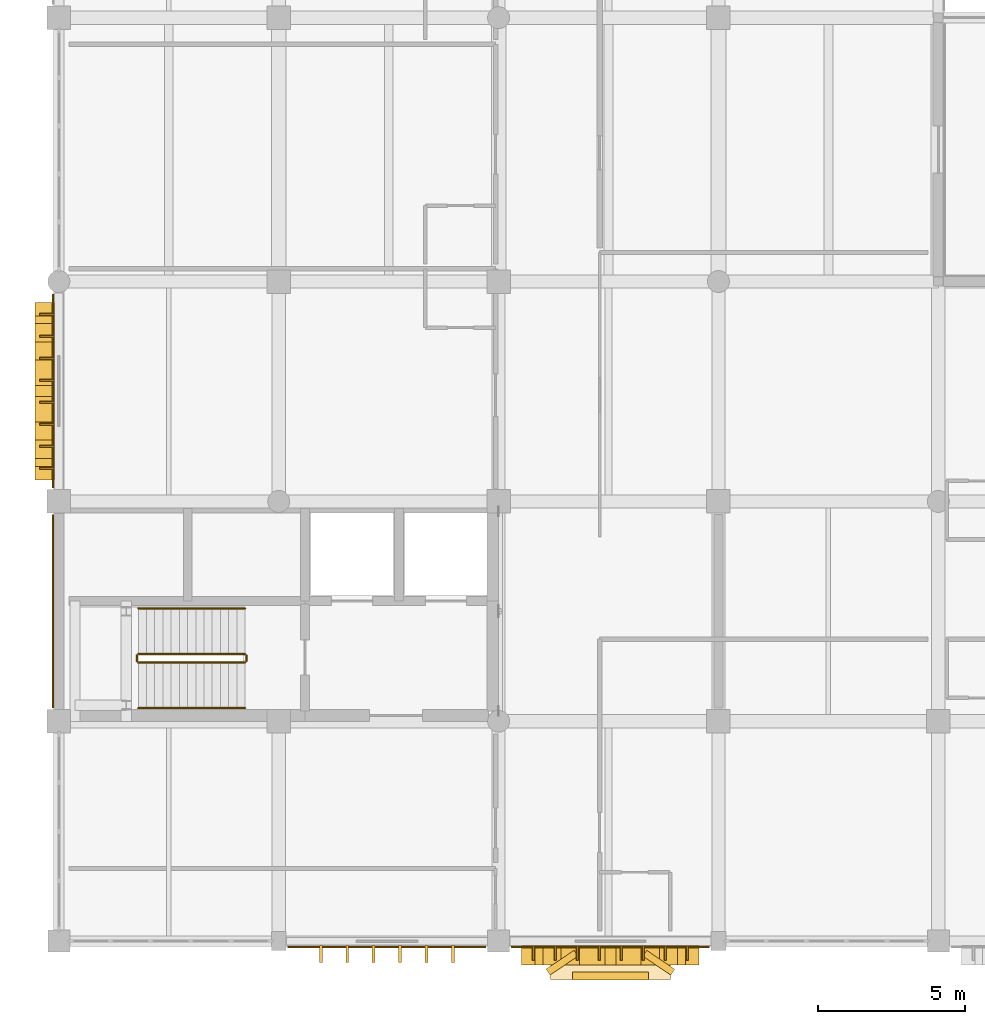
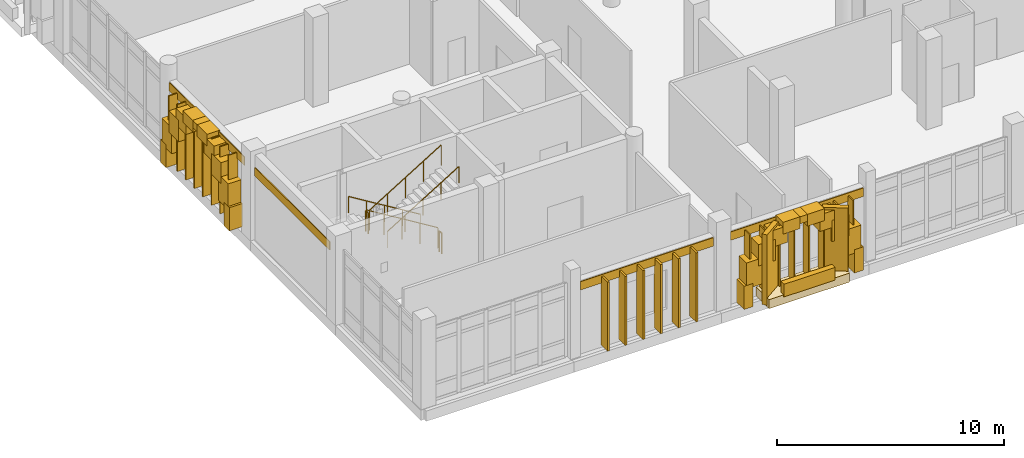
# One storey, part 112 of 131: 36 coverings, 16 shading devices, 6 railings.
"""IFC4 building model written with IfcOpenShell, lengths in metres."""

from ifc_helpers import new_model, si_unit, direction, frame, origin, origin_2d, place, context, subcontext, project, spatial, rectangle, circle, extrude, material, layer, layer_set, type_object, element, save


model = new_model("IFC4")

# Units and contexts
model_context = context("Model", 3, precision=1e-05, world=origin(), true_north=direction((0.0, 1.0)))
body_context = subcontext(model_context, "Body", "Model", "MODEL_VIEW")
ifc_project = project(units=[si_unit("LENGTHUNIT", "METRE"), si_unit("AREAUNIT", "SQUARE_METRE"), si_unit("VOLUMEUNIT", "CUBIC_METRE"), si_unit("PLANEANGLEUNIT", "RADIAN"), si_unit("MASSUNIT", "GRAM", prefix="KILO")], contexts=[model_context])

# Site, building, storey
site_placement = place(None, origin())
site = spatial("IfcSite", under=ifc_project, at=site_placement, CompositionType="ELEMENT")
building_placement = place(site_placement, origin())
building = spatial("IfcBuilding", under=site, at=building_placement, Name="Dalvernix Boulevard General Hospital", CompositionType="ELEMENT")
storey_placement = place(building_placement, frame((0.0, 0.0, 9.300048828125)))
storey = spatial("IfcBuildingStorey", under=building, at=storey_placement, Name="L02", CompositionType="ELEMENT", Elevation=9.300048828125)

# Coverings
ifc_material_1 = material(Name="Pressed Catalan clay brick and dressed limestone parabolic archivolt", Category="masonry")
ifc_layer_1 = layer(ifc_material_1, 0.419921875)
ifc_layer_set_1 = layer_set([ifc_layer_1], Name="Pressed Catalan clay brick and dressed limestone parabolic archivolt (COV-ARC-01)")
covering_type_1 = type_object("IfcCoveringType", Name="COV-ARC-01", PredefinedType="CLADDING", material=ifc_layer_set_1)
for number, where, z_axis, x_axis, name in (
    (1, (-0.485107421875, 15.96240234375, 0.0), (0.0, 0.0, 1.0), (0.0, 1.0, 0.0), "L02 Catalan parabolic arch impost pier W 0-2-L"),
    (2, (-0.485107421875, 21.5625, 0.0), (0.0, 0.0, 1.0), (0.0, 1.0, 0.0), "L02 Catalan parabolic arch impost pier W 0-2-R"),
):
    element("IfcCovering", number, at=place(storey_placement, frame(where, z_axis=z_axis, x_axis=x_axis)), inside=storey, type_object=covering_type_1, Name=name, PredefinedType="CLADDING", context=body_context, shape_type="SweptSolid", body=[
        extrude(rectangle(XDim=0.4599609375, YDim=0.659912109375, at=origin_2d()), origin(), (0.0, 0.0, 1.0), 1.25),
    ])
covering_1_placement = place(storey_placement, frame((-0.485107421875, 16.273681640625, 1.059814453125), z_axis=(0.0, 0.0, 1.0), x_axis=(0.0, 1.0, 0.0)))
element("IfcCovering", 3, at=covering_1_placement, inside=storey, type_object=covering_type_1, Name="L02 Catalan parabolic archivolt voussoir W 0-2-1", PredefinedType="CLADDING", context=body_context, shape_type="SweptSolid", body=[
    extrude(rectangle(XDim=0.8623046875, YDim=0.659912109375, at=origin_2d()), origin(), (0.0, 0.0, 1.0), 1.3994140625),
])
covering_2_placement = place(storey_placement, frame((-0.485107421875, 16.895751953125, 2.0791015625), z_axis=(0.0, 0.0, 1.0), x_axis=(0.0, 1.0, 0.0)))
element("IfcCovering", 4, at=covering_2_placement, inside=storey, type_object=covering_type_1, Name="L02 Catalan parabolic archivolt voussoir W 0-2-2", PredefinedType="CLADDING", context=body_context, shape_type="SweptSolid", body=[
    extrude(rectangle(XDim=0.8623046875, YDim=0.659912109375, at=origin_2d()), origin(), (0.0, 0.0, 1.0), 1.144287109375),
])
covering_3_placement = place(storey_placement, frame((-0.485107421875, 17.51806640625, 2.843505859375), z_axis=(0.0, 0.0, 1.0), x_axis=(0.0, 1.0, 0.0)))
element("IfcCovering", 5, at=covering_3_placement, inside=storey, type_object=covering_type_1, Name="L02 Catalan parabolic archivolt voussoir W 0-2-3", PredefinedType="CLADDING", context=body_context, shape_type="SweptSolid", body=[
    extrude(rectangle(XDim=0.8623046875, YDim=0.659912109375, at=origin_2d()), origin(), (0.0, 0.0, 1.0), 0.8896484375),
])
covering_4_placement = place(storey_placement, frame((-0.485107421875, 18.140380859375, 3.353271484375), z_axis=(0.0, 0.0, 1.0), x_axis=(0.0, 1.0, 0.0)))
element("IfcCovering", 6, at=covering_4_placement, inside=storey, type_object=covering_type_1, Name="L02 Catalan parabolic archivolt voussoir W 0-2-4", PredefinedType="CLADDING", context=body_context, shape_type="SweptSolid", body=[
    extrude(rectangle(XDim=0.8623046875, YDim=0.659912109375, at=origin_2d()), origin(), (0.0, 0.0, 1.0), 0.634765625),
])
covering_5_placement = place(storey_placement, frame((-0.485107421875, 18.762451171875, 3.608154296875), z_axis=(0.0, 0.0, 1.0), x_axis=(0.0, 1.0, 0.0)))
element("IfcCovering", 7, at=covering_5_placement, inside=storey, type_object=covering_type_1, Name="L02 Catalan parabolic archivolt voussoir W 0-2-5", PredefinedType="CLADDING", context=body_context, shape_type="SweptSolid", body=[
    extrude(rectangle(XDim=0.8623046875, YDim=0.659912109375, at=origin_2d()), origin(), (0.0, 0.0, 1.0), 0.3798828125),
])
covering_6_placement = place(storey_placement, frame((-0.485107421875, 19.384765625, 3.353271484375), z_axis=(0.0, 0.0, 1.0), x_axis=(0.0, 1.0, 0.0)))
element("IfcCovering", 8, at=covering_6_placement, inside=storey, type_object=covering_type_1, Name="L02 Catalan parabolic archivolt voussoir W 0-2-6", PredefinedType="CLADDING", context=body_context, shape_type="SweptSolid", body=[
    extrude(rectangle(XDim=0.8623046875, YDim=0.659912109375, at=origin_2d()), origin(), (0.0, 0.0, 1.0), 0.634765625),
])
covering_7_placement = place(storey_placement, frame((-0.485107421875, 20.0068359375, 2.843505859375), z_axis=(0.0, 0.0, 1.0), x_axis=(0.0, 1.0, 0.0)))
element("IfcCovering", 9, at=covering_7_placement, inside=storey, type_object=covering_type_1, Name="L02 Catalan parabolic archivolt voussoir W 0-2-7", PredefinedType="CLADDING", context=body_context, shape_type="SweptSolid", body=[
    extrude(rectangle(XDim=0.8623046875, YDim=0.659912109375, at=origin_2d()), origin(), (0.0, 0.0, 1.0), 0.8896484375),
])
covering_8_placement = place(storey_placement, frame((-0.485107421875, 20.629150390625, 2.0791015625), z_axis=(0.0, 0.0, 1.0), x_axis=(0.0, 1.0, 0.0)))
element("IfcCovering", 10, at=covering_8_placement, inside=storey, type_object=covering_type_1, Name="L02 Catalan parabolic archivolt voussoir W 0-2-8", PredefinedType="CLADDING", context=body_context, shape_type="SweptSolid", body=[
    extrude(rectangle(XDim=0.8623046875, YDim=0.659912109375, at=origin_2d()), origin(), (0.0, 0.0, 1.0), 1.144287109375),
])
covering_9_placement = place(storey_placement, frame((-0.485107421875, 21.25146484375, 1.059814453125), z_axis=(0.0, 0.0, 1.0), x_axis=(0.0, 1.0, 0.0)))
element("IfcCovering", 11, at=covering_9_placement, inside=storey, type_object=covering_type_1, Name="L02 Catalan parabolic archivolt voussoir W 0-2-9", PredefinedType="CLADDING", context=body_context, shape_type="SweptSolid", body=[
    extrude(rectangle(XDim=0.8623046875, YDim=0.659912109375, at=origin_2d()), origin(), (0.0, 0.0, 1.0), 1.3994140625),
])
for number, where, z_axis, x_axis, name in (
    (12, (21.612548828125, -0.485107421875, 0.0), (0.0, 0.0, 1.0), (-1.0, 0.0, 0.0), "L02 Catalan parabolic arch impost pier S 2-0-L"),
    (13, (16.012451171875, -0.485107421875, 0.0), (0.0, 0.0, 1.0), (-1.0, 0.0, 0.0), "L02 Catalan parabolic arch impost pier S 2-0-R"),
):
    element("IfcCovering", number, at=place(storey_placement, frame(where, z_axis=z_axis, x_axis=x_axis)), inside=storey, type_object=covering_type_1, Name=name, PredefinedType="CLADDING", context=body_context, shape_type="SweptSolid", body=[
        extrude(rectangle(XDim=0.4599609375, YDim=0.659912109375, at=origin_2d()), origin(), (0.0, 0.0, 1.0), 1.25),
    ])
covering_10_placement = place(storey_placement, frame((21.301513671875, -0.485107421875, 1.059814453125), z_axis=(0.0, 0.0, 1.0), x_axis=(-1.0, 0.0, 0.0)))
element("IfcCovering", 14, at=covering_10_placement, inside=storey, type_object=covering_type_1, Name="L02 Catalan parabolic archivolt voussoir S 2-0-1", PredefinedType="CLADDING", context=body_context, shape_type="SweptSolid", body=[
    extrude(rectangle(XDim=0.8623046875, YDim=0.659912109375, at=origin_2d()), origin(), (0.0, 0.0, 1.0), 1.3994140625),
])
covering_11_placement = place(storey_placement, frame((20.67919921875, -0.485107421875, 2.0791015625), z_axis=(0.0, 0.0, 1.0), x_axis=(-1.0, 0.0, 0.0)))
element("IfcCovering", 15, at=covering_11_placement, inside=storey, type_object=covering_type_1, Name="L02 Catalan parabolic archivolt voussoir S 2-0-2", PredefinedType="CLADDING", context=body_context, shape_type="SweptSolid", body=[
    extrude(rectangle(XDim=0.8623046875, YDim=0.659912109375, at=origin_2d()), origin(), (0.0, 0.0, 1.0), 1.144287109375),
])
covering_12_placement = place(storey_placement, frame((20.056884765625, -0.485107421875, 2.843505859375), z_axis=(0.0, 0.0, 1.0), x_axis=(-1.0, 0.0, 0.0)))
element("IfcCovering", 16, at=covering_12_placement, inside=storey, type_object=covering_type_1, Name="L02 Catalan parabolic archivolt voussoir S 2-0-3", PredefinedType="CLADDING", context=body_context, shape_type="SweptSolid", body=[
    extrude(rectangle(XDim=0.8623046875, YDim=0.659912109375, at=origin_2d()), origin(), (0.0, 0.0, 1.0), 0.8896484375),
])
covering_13_placement = place(storey_placement, frame((19.434814453125, -0.485107421875, 3.353271484375), z_axis=(0.0, 0.0, 1.0), x_axis=(-1.0, 0.0, 0.0)))
element("IfcCovering", 17, at=covering_13_placement, inside=storey, type_object=covering_type_1, Name="L02 Catalan parabolic archivolt voussoir S 2-0-4", PredefinedType="CLADDING", context=body_context, shape_type="SweptSolid", body=[
    extrude(rectangle(XDim=0.8623046875, YDim=0.659912109375, at=origin_2d()), origin(), (0.0, 0.0, 1.0), 0.634765625),
])
covering_14_placement = place(storey_placement, frame((18.8125, -0.485107421875, 3.608154296875), z_axis=(0.0, 0.0, 1.0), x_axis=(-1.0, 0.0, 0.0)))
element("IfcCovering", 18, at=covering_14_placement, inside=storey, type_object=covering_type_1, Name="L02 Catalan parabolic archivolt voussoir S 2-0-5", PredefinedType="CLADDING", context=body_context, shape_type="SweptSolid", body=[
    extrude(rectangle(XDim=0.8623046875, YDim=0.659912109375, at=origin_2d()), origin(), (0.0, 0.0, 1.0), 0.3798828125),
])
covering_15_placement = place(storey_placement, frame((18.190185546875, -0.485107421875, 3.353271484375), z_axis=(0.0, 0.0, 1.0), x_axis=(-1.0, 0.0, 0.0)))
element("IfcCovering", 19, at=covering_15_placement, inside=storey, type_object=covering_type_1, Name="L02 Catalan parabolic archivolt voussoir S 2-0-6", PredefinedType="CLADDING", context=body_context, shape_type="SweptSolid", body=[
    extrude(rectangle(XDim=0.8623046875, YDim=0.659912109375, at=origin_2d()), origin(), (0.0, 0.0, 1.0), 0.634765625),
])
covering_16_placement = place(storey_placement, frame((17.568115234375, -0.485107421875, 2.843505859375), z_axis=(0.0, 0.0, 1.0), x_axis=(-1.0, 0.0, 0.0)))
element("IfcCovering", 20, at=covering_16_placement, inside=storey, type_object=covering_type_1, Name="L02 Catalan parabolic archivolt voussoir S 2-0-7", PredefinedType="CLADDING", context=body_context, shape_type="SweptSolid", body=[
    extrude(rectangle(XDim=0.8623046875, YDim=0.659912109375, at=origin_2d()), origin(), (0.0, 0.0, 1.0), 0.8896484375),
])
covering_17_placement = place(storey_placement, frame((16.94580078125, -0.485107421875, 2.0791015625), z_axis=(0.0, 0.0, 1.0), x_axis=(-1.0, 0.0, 0.0)))
element("IfcCovering", 21, at=covering_17_placement, inside=storey, type_object=covering_type_1, Name="L02 Catalan parabolic archivolt voussoir S 2-0-8", PredefinedType="CLADDING", context=body_context, shape_type="SweptSolid", body=[
    extrude(rectangle(XDim=0.8623046875, YDim=0.659912109375, at=origin_2d()), origin(), (0.0, 0.0, 1.0), 1.144287109375),
])
covering_18_placement = place(storey_placement, frame((16.323486328125, -0.485107421875, 1.059814453125), z_axis=(0.0, 0.0, 1.0), x_axis=(-1.0, 0.0, 0.0)))
element("IfcCovering", 22, at=covering_18_placement, inside=storey, type_object=covering_type_1, Name="L02 Catalan parabolic archivolt voussoir S 2-0-9", PredefinedType="CLADDING", context=body_context, shape_type="SweptSolid", body=[
    extrude(rectangle(XDim=0.8623046875, YDim=0.659912109375, at=origin_2d()), origin(), (0.0, 0.0, 1.0), 1.3994140625),
])
ifc_material_2 = material(Name="Polychrome glazed Catalan trencadis ceramic faceted bay spandrel")
ifc_layer_2 = layer(ifc_material_2, 0.280029296875)
ifc_layer_set_2 = layer_set([ifc_layer_2], Name="Polychrome glazed Catalan trencadis ceramic faceted bay spandrel (COV-BAY-01)")
covering_type_2 = type_object("IfcCoveringType", Name="COV-BAY-01", PredefinedType="CLADDING", material=ifc_layer_set_2)
covering_19_placement = place(storey_placement, frame((18.8125, -1.18505859375, 0.3798828125), z_axis=(0.0, 0.0, 1.0), x_axis=(-1.0, 0.0, 0.0)))
element("IfcCovering", 23, at=covering_19_placement, inside=storey, type_object=covering_type_2, Name="L02 projecting faceted trencadis bay spandrel S 2-0", PredefinedType="CLADDING", context=body_context, shape_type="SweptSolid", body=[
    extrude(rectangle(XDim=2.60009765625, YDim=0.280029296875, at=origin_2d()), origin(), (0.0, 0.0, 1.0), 0.679931640625),
])
for number, where, z_axis, x_axis, name in (
    (24, (20.46240234375, -0.735107421875, 0.079833984375), (0.0, 0.0, 1.0), (-0.829037572555, 0.559192903471, 0.0), "L02 projecting faceted Catalan bay cheek S 2-0-L"),
    (25, (17.16259765625, -0.735107421875, 0.079833984375), (0.0, 0.0, 1.0), (-0.829037572555, -0.559192903471, 0.0), "L02 projecting faceted Catalan bay cheek S 2-0-R"),
):
    element("IfcCovering", number, at=place(storey_placement, frame(where, z_axis=z_axis, x_axis=x_axis)), inside=storey, type_object=covering_type_2, Name=name, PredefinedType="CLADDING", context=body_context, shape_type="SweptSolid", body=[
        extrude(rectangle(XDim=1.14990234375, YDim=0.239990234375, at=origin_2d()), origin(), (0.0, 0.0, 1.0), 3.7900390625),
    ])
ifc_material_3 = material(Name="Polychrome Catalan glazed ceramic spandrel tile panel")
ifc_layer_3 = layer(ifc_material_3, 0.044921875)
ifc_layer_set_3 = layer_set([ifc_layer_3], Name="Polychrome Catalan glazed ceramic spandrel tile panel (COV-CLD-01)")
covering_type_3 = type_object("IfcCoveringType", Name="COV-CLD-01", PredefinedType="CLADDING", material=ifc_layer_set_3)
covering_20_placement = place(storey_placement, frame((-0.195068359375, 11.25, 3.47509765625), z_axis=(0.0, 0.0, 1.0), x_axis=(0.0, 1.0, 0.0)))
element("IfcCovering", 26, at=covering_20_placement, inside=storey, type_object=covering_type_3, Name="L02 polychrome ceramic spandrel W 0-1", PredefinedType="CLADDING", context=body_context, shape_type="SweptSolid", body=[
    extrude(rectangle(XDim=6.580078125, YDim=0.044921875, at=origin_2d()), origin(), (0.0, 0.0, 1.0), 0.449951171875),
])
covering_21_placement = place(storey_placement, frame((-0.195068359375, 18.762451171875, 3.47509765625), z_axis=(0.0, 0.0, 1.0), x_axis=(0.0, 1.0, 0.0)))
element("IfcCovering", 27, at=covering_21_placement, inside=storey, type_object=covering_type_3, Name="L02 polychrome ceramic spandrel W 0-2", PredefinedType="CLADDING", context=body_context, shape_type="SweptSolid", body=[
    extrude(rectangle(XDim=6.60498046875, YDim=0.044921875, at=origin_2d()), origin(), (0.0, 0.0, 1.0), 0.449951171875),
])
for number, where, z_axis, x_axis, name in (
    (28, (11.1875, -0.195068359375, 3.47509765625), (0.0, 0.0, 1.0), (-1.0, 0.0, 0.0), "L02 polychrome ceramic spandrel S 1-0"),
    (29, (18.8125, -0.195068359375, 3.47509765625), (0.0, 0.0, 1.0), (-1.0, 0.0, 0.0), "L02 polychrome ceramic spandrel S 2-0"),
):
    element("IfcCovering", number, at=place(storey_placement, frame(where, z_axis=z_axis, x_axis=x_axis)), inside=storey, type_object=covering_type_3, Name=name, PredefinedType="CLADDING", context=body_context, shape_type="SweptSolid", body=[
        extrude(rectangle(XDim=6.7548828125, YDim=0.044921875, at=origin_2d()), origin(), (0.0, 0.0, 1.0), 0.449951171875),
    ])
ifc_material_4 = material(Name="Dressed ochre limestone classical plinth, stringcourse and corbelled cornice", Category="masonry")
ifc_layer_4 = layer(ifc_material_4, 0.449951171875)
ifc_layer_set_4 = layer_set([ifc_layer_4], Name="Dressed ochre limestone classical plinth, stringcourse and corbelled cornice (COV-CRN-01)")
covering_type_4 = type_object("IfcCoveringType", Name="COV-CRN-01", PredefinedType="CLADDING", material=ifc_layer_set_4)
covering_22_placement = place(storey_placement, frame((18.8125, -0.72998046875, 0.0), z_axis=(0.0, 0.0, 1.0), x_axis=(-1.0, 0.0, 0.0)))
element("IfcCovering", 30, at=covering_22_placement, inside=storey, type_object=covering_type_4, Name="L02 projecting Catalan bay corbel base S 2-0", PredefinedType="CLADDING", context=body_context, shape_type="SweptSolid", body=[
    extrude(rectangle(XDim=4.10009765625, YDim=1.14990234375, at=origin_2d()), origin(), (0.0, 0.0, 1.0), 0.47998046875),
])
ifc_material_5 = material(Name="Terracotta-clad iroko timber brise-soleil sun-breaker fin", Category="masonry")
ifc_layer_5 = layer(ifc_material_5, 0.10009765625)
ifc_layer_set_5 = layer_set([ifc_layer_5], Name="Terracotta-clad iroko timber brise-soleil sun-breaker fin (COV-FIN-02)")
covering_type_5 = type_object("IfcCoveringType", Name="COV-FIN-02", PredefinedType="CLADDING", material=ifc_layer_set_5)
for number, where, z_axis, x_axis, name in (
    (31, (13.4375, -0.445068359375, 0.119873046875), (0.0, 0.0, 1.0), (-1.0, 0.0, 0.0), "L02 terracotta brise-soleil fin S 1-0-1"),
    (32, (12.53759765625, -0.445068359375, 0.119873046875), (0.0, 0.0, 1.0), (-1.0, 0.0, 0.0), "L02 terracotta brise-soleil fin S 1-0-2"),
    (33, (11.637451171875, -0.445068359375, 0.119873046875), (0.0, 0.0, 1.0), (-1.0, 0.0, 0.0), "L02 terracotta brise-soleil fin S 1-0-3"),
    (34, (10.737548828125, -0.445068359375, 0.119873046875), (0.0, 0.0, 1.0), (-1.0, 0.0, 0.0), "L02 terracotta brise-soleil fin S 1-0-4"),
    (35, (9.83740234375, -0.445068359375, 0.119873046875), (0.0, 0.0, 1.0), (-1.0, 0.0, 0.0), "L02 terracotta brise-soleil fin S 1-0-5"),
    (36, (8.9375, -0.445068359375, 0.119873046875), (0.0, 0.0, 1.0), (-1.0, 0.0, 0.0), "L02 terracotta brise-soleil fin S 1-0-6"),
):
    element("IfcCovering", number, at=place(storey_placement, frame(where, z_axis=z_axis, x_axis=x_axis)), inside=storey, type_object=covering_type_5, Name=name, PredefinedType="CLADDING", context=body_context, shape_type="SweptSolid", body=[
        extrude(rectangle(XDim=0.10009765625, YDim=0.580078125, at=origin_2d()), origin(), (0.0, 0.0, 1.0), 3.7099609375),
    ])

# Railings
ifc_material_6 = material(Name="Brushed stainless steel balustrade", Category="steel")
railing_type_1 = type_object("IfcRailingType", Name="RL-GR-INT1", PredefinedType="BALUSTRADE", material=ifc_material_6)
railing_1_placement = place(storey_placement, frame((6.35009765625, 9.800048828125, 0.17138671875)))
element("IfcRailing", 37, at=railing_1_placement, inside=storey, type_object=railing_type_1, Name="L02 ST-01 stair guard 1", PredefinedType="BALUSTRADE", context=body_context, shape_type="SweptSolid", body=[
    extrude(circle(Radius=0.02392578125, at=origin_2d()), frame((0.0, 0.0, 1.09619140625), z_axis=(-0.852865859571, 0.0, 0.52213008492), x_axis=(0.0, -1.0, 0.0)), (0.0, 0.0, 1.0), 4.26806640625),
    extrude(circle(Radius=0.02099609375, at=origin_2d()), origin(), (0.0, 0.0, 1.0), 1.072021484375),
    extrude(circle(Radius=0.02099609375, at=origin_2d()), frame((-0.91015625, 0.0, 0.55712890625)), (0.0, 0.0, 1.0), 1.072021484375),
    extrude(circle(Radius=0.02099609375, at=origin_2d()), frame((-1.820068359375, 0.0, 1.1142578125)), (0.0, 0.0, 1.0), 1.072021484375),
    extrude(circle(Radius=0.02099609375, at=origin_2d()), frame((-2.72998046875, 0.0, 1.67138671875)), (0.0, 0.0, 1.0), 1.072021484375),
    extrude(circle(Radius=0.02099609375, at=origin_2d()), frame((-3.64013671875, 0.0, 2.228515625)), (0.0, 0.0, 1.0), 1.072021484375),
])
railing_2_placement = place(storey_placement, frame((2.659912109375, 9.75, 2.39990234375)))
element("IfcRailing", 38, at=railing_2_placement, inside=storey, type_object=railing_type_1, Name="L02 ST-01 stair guard 2", PredefinedType="BALUSTRADE", context=body_context, shape_type="SweptSolid", body=[
    extrude(circle(Radius=0.02392578125, at=origin_2d()), frame((0.0, 0.0, 1.09619140625), z_axis=(0.0, -1.0, 0.0), x_axis=(1.0, 0.0, 0.0)), (0.0, 0.0, 1.0), 0.199951171875),
    extrude(circle(Radius=0.02099609375, at=origin_2d()), origin(), (0.0, 0.0, 1.0), 1.072021484375),
    extrude(circle(Radius=0.02099609375, at=origin_2d()), frame((0.0, -0.199951171875, 0.0)), (0.0, 0.0, 1.0), 1.072021484375),
])
railing_3_placement = place(storey_placement, frame((2.7099609375, 9.5, 2.5712890625)))
element("IfcRailing", 39, at=railing_3_placement, inside=storey, type_object=railing_type_1, Name="L02 ST-01 stair guard 3", PredefinedType="BALUSTRADE", context=body_context, shape_type="SweptSolid", body=[
    extrude(circle(Radius=0.02392578125, at=origin_2d()), frame((0.0, 0.0, 1.09619140625), z_axis=(0.852840387347, 0.0, 0.522171689878), x_axis=(0.0, 1.0, 0.0)), (0.0, 0.0, 1.0), 4.268310546875),
    extrude(circle(Radius=0.02099609375, at=origin_2d()), origin(), (0.0, 0.0, 1.0), 1.072021484375),
    extrude(circle(Radius=0.02099609375, at=origin_2d()), frame((0.91015625, 0.0, 0.55712890625)), (0.0, 0.0, 1.0), 1.072021484375),
    extrude(circle(Radius=0.02099609375, at=origin_2d()), frame((1.820068359375, 0.0, 1.1142578125)), (0.0, 0.0, 1.0), 1.072021484375),
    extrude(circle(Radius=0.02099609375, at=origin_2d()), frame((2.72998046875, 0.0, 1.671630859375)), (0.0, 0.0, 1.0), 1.072021484375),
    extrude(circle(Radius=0.02099609375, at=origin_2d()), frame((3.64013671875, 0.0, 2.228759765625)), (0.0, 0.0, 1.0), 1.072021484375),
])
railing_4_placement = place(storey_placement, frame((6.39990234375, 9.75, 0.0)))
element("IfcRailing", 40, at=railing_4_placement, inside=storey, type_object=railing_type_1, Name="L02 ST-01 stair guard 4", PredefinedType="BALUSTRADE", context=body_context, shape_type="SweptSolid", body=[
    extrude(circle(Radius=0.02392578125, at=origin_2d()), frame((0.0, 0.0, 1.09619140625), z_axis=(0.0, -1.0, 0.0), x_axis=(1.0, 0.0, 0.0)), (0.0, 0.0, 1.0), 0.199951171875),
    extrude(circle(Radius=0.02099609375, at=origin_2d()), origin(), (0.0, 0.0, 1.0), 1.072021484375),
    extrude(circle(Radius=0.02099609375, at=origin_2d()), frame((0.0, -0.199951171875, 0.0)), (0.0, 0.0, 1.0), 1.072021484375),
])
ifc_material_7 = material(Name="Brushed stainless steel wall handrail", Category="steel")
railing_type_2 = type_object("IfcRailingType", Name="RL-HR-INT1", PredefinedType="HANDRAIL", material=ifc_material_7)
railing_5_placement = place(storey_placement, frame((6.35009765625, 11.35009765625, 0.17138671875)))
element("IfcRailing", 41, at=railing_5_placement, inside=storey, type_object=railing_type_2, Name="L02 ST-01 stair handrail 1", PredefinedType="HANDRAIL", context=body_context, shape_type="SweptSolid", body=[
    extrude(circle(Radius=0.02392578125, at=origin_2d()), frame((0.0, 0.0, 0.8759765625), z_axis=(-0.852865859571, 0.0, 0.52213008492), x_axis=(0.0, -1.0, 0.0)), (0.0, 0.0, 1.0), 4.26806640625),
    extrude(circle(Radius=0.02099609375, at=origin_2d()), origin(), (0.0, 0.0, 1.0), 0.851806640625),
    extrude(circle(Radius=0.02099609375, at=origin_2d()), frame((-0.91015625, 0.0, 0.55712890625)), (0.0, 0.0, 1.0), 0.851806640625),
    extrude(circle(Radius=0.02099609375, at=origin_2d()), frame((-1.820068359375, 0.0, 1.1142578125)), (0.0, 0.0, 1.0), 0.851806640625),
    extrude(circle(Radius=0.02099609375, at=origin_2d()), frame((-2.72998046875, 0.0, 1.67138671875)), (0.0, 0.0, 1.0), 0.851806640625),
    extrude(circle(Radius=0.02099609375, at=origin_2d()), frame((-3.64013671875, 0.0, 2.228515625)), (0.0, 0.0, 1.0), 0.851806640625),
])
railing_6_placement = place(storey_placement, frame((2.7099609375, 7.949951171875, 2.5712890625)))
element("IfcRailing", 42, at=railing_6_placement, inside=storey, type_object=railing_type_2, Name="L02 ST-01 stair handrail 2", PredefinedType="HANDRAIL", context=body_context, shape_type="SweptSolid", body=[
    extrude(circle(Radius=0.02392578125, at=origin_2d()), frame((0.0, 0.0, 0.8759765625), z_axis=(0.852840387347, 0.0, 0.522171689878), x_axis=(0.0, 1.0, 0.0)), (0.0, 0.0, 1.0), 4.268310546875),
    extrude(circle(Radius=0.02099609375, at=origin_2d()), origin(), (0.0, 0.0, 1.0), 0.851806640625),
    extrude(circle(Radius=0.02099609375, at=origin_2d()), frame((0.91015625, 0.0, 0.55712890625)), (0.0, 0.0, 1.0), 0.851806640625),
    extrude(circle(Radius=0.02099609375, at=origin_2d()), frame((1.820068359375, 0.0, 1.1142578125)), (0.0, 0.0, 1.0), 0.851806640625),
    extrude(circle(Radius=0.02099609375, at=origin_2d()), frame((2.72998046875, 0.0, 1.671630859375)), (0.0, 0.0, 1.0), 0.851806640625),
    extrude(circle(Radius=0.02099609375, at=origin_2d()), frame((3.64013671875, 0.0, 2.228759765625)), (0.0, 0.0, 1.0), 0.851806640625),
])

# Shading devices
ifc_material_8 = material(Name="Preservative-treated West African iroko timber", Category="wood")
shading_device_type = type_object("IfcShadingDeviceType", Name="SHD-FIN-01", PredefinedType="USERDEFINED", material=ifc_material_8)
for number, where, z_axis, x_axis, name in (
    (43, (-0.405029296875, 16.137451171875, 0.1748046875), (0.0, 0.0, 1.0), (0.0, 1.0, 0.0), "L02 iroko brise-soleil fin 1"),
    (44, (-0.405029296875, 16.887451171875, 0.1748046875), (0.0, 0.0, 1.0), (0.0, 1.0, 0.0), "L02 iroko brise-soleil fin 2"),
    (45, (-0.405029296875, 17.637451171875, 0.1748046875), (0.0, 0.0, 1.0), (0.0, 1.0, 0.0), "L02 iroko brise-soleil fin 3"),
    (46, (-0.405029296875, 18.387451171875, 0.1748046875), (0.0, 0.0, 1.0), (0.0, 1.0, 0.0), "L02 iroko brise-soleil fin 4"),
    (47, (-0.405029296875, 19.137451171875, 0.1748046875), (0.0, 0.0, 1.0), (0.0, 1.0, 0.0), "L02 iroko brise-soleil fin 5"),
    (48, (-0.405029296875, 19.887451171875, 0.1748046875), (0.0, 0.0, 1.0), (0.0, 1.0, 0.0), "L02 iroko brise-soleil fin 6"),
    (49, (-0.405029296875, 20.637451171875, 0.1748046875), (0.0, 0.0, 1.0), (0.0, 1.0, 0.0), "L02 iroko brise-soleil fin 7"),
    (50, (-0.405029296875, 21.387451171875, 0.1748046875), (0.0, 0.0, 1.0), (0.0, 1.0, 0.0), "L02 iroko brise-soleil fin 8"),
    (51, (21.4375, -0.405029296875, 0.1748046875), (0.0, 0.0, 1.0), (-1.0, 0.0, 0.0), "L02 iroko brise-soleil fin 1"),
    (52, (20.6875, -0.405029296875, 0.1748046875), (0.0, 0.0, 1.0), (-1.0, 0.0, 0.0), "L02 iroko brise-soleil fin 2"),
    (53, (19.9375, -0.405029296875, 0.1748046875), (0.0, 0.0, 1.0), (-1.0, 0.0, 0.0), "L02 iroko brise-soleil fin 3"),
    (54, (19.1875, -0.405029296875, 0.1748046875), (0.0, 0.0, 1.0), (-1.0, 0.0, 0.0), "L02 iroko brise-soleil fin 4"),
    (55, (18.4375, -0.405029296875, 0.1748046875), (0.0, 0.0, 1.0), (-1.0, 0.0, 0.0), "L02 iroko brise-soleil fin 5"),
    (56, (17.6875, -0.405029296875, 0.1748046875), (0.0, 0.0, 1.0), (-1.0, 0.0, 0.0), "L02 iroko brise-soleil fin 6"),
    (57, (16.9375, -0.405029296875, 0.1748046875), (0.0, 0.0, 1.0), (-1.0, 0.0, 0.0), "L02 iroko brise-soleil fin 7"),
    (58, (16.1875, -0.405029296875, 0.1748046875), (0.0, 0.0, 1.0), (-1.0, 0.0, 0.0), "L02 iroko brise-soleil fin 8"),
):
    element("IfcShadingDevice", number, at=place(storey_placement, frame(where, z_axis=z_axis, x_axis=x_axis)), inside=storey, type_object=shading_device_type, Name=name, ObjectType="FIN", PredefinedType="USERDEFINED", context=body_context, shape_type="SweptSolid", body=[
        extrude(rectangle(XDim=0.06494140625, YDim=0.47998046875, at=origin_2d()), origin(), (0.0, 0.0, 1.0), 3.60009765625),
    ])

save(model, "model.ifc")
